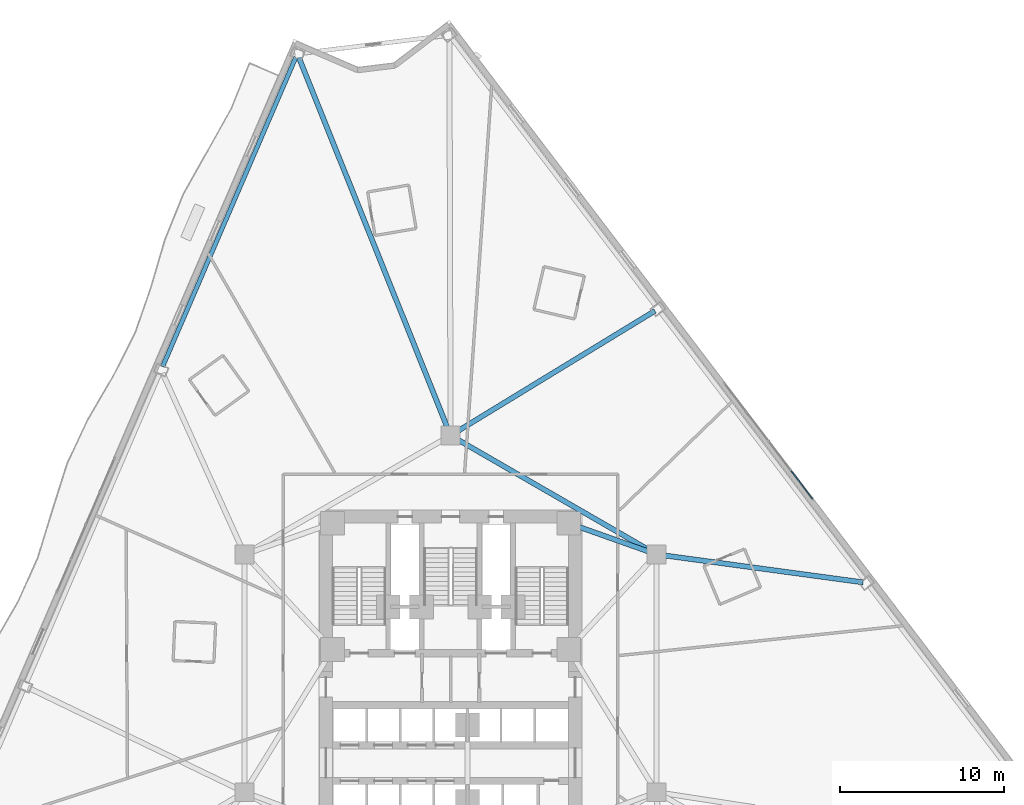
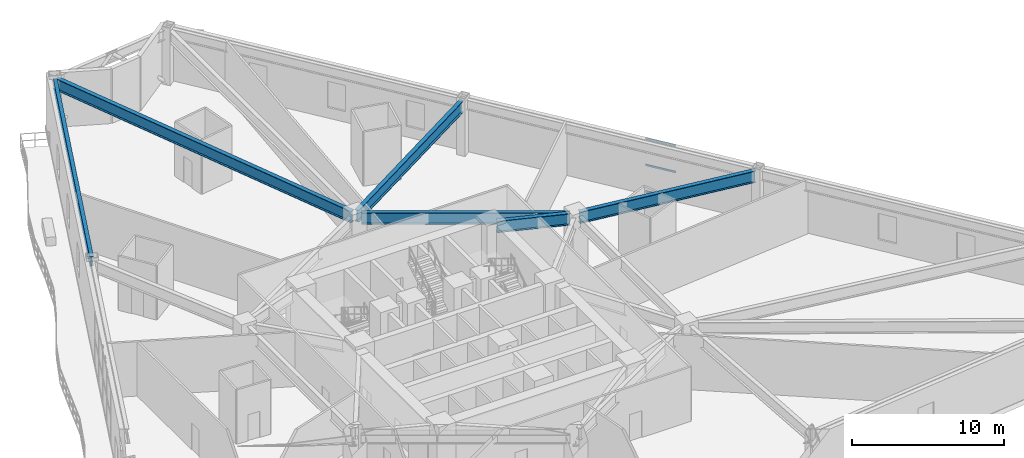
# One storey, part 5 of 21: 6 beams, 3 members, 1 element without a shape of its own.
"""IFC4 building model written with IfcOpenShell, lengths in metres."""

from ifc_helpers import new_model, si_unit, direction, frame, origin, origin_2d, place, context, subcontext, project, spatial, rectangle, i_section, extrude, material, layer, layer_set, material_profile, profile_set, type_object, element, aggregate, save


model = new_model("IFC4")

# Units and contexts
model_context = context("Model", 3, precision=1e-05, world=origin(), true_north=direction((0.0, 1.0)))
body_context = subcontext(model_context, "Body", "Model", "MODEL_VIEW")
ifc_project = project(units=[si_unit("LENGTHUNIT", "METRE"), si_unit("AREAUNIT", "SQUARE_METRE"), si_unit("VOLUMEUNIT", "CUBIC_METRE"), si_unit("PLANEANGLEUNIT", "RADIAN"), si_unit("MASSUNIT", "GRAM", prefix="KILO")], contexts=[model_context])

# Site, building, storey
site_placement = place(None, origin())
site = spatial("IfcSite", under=ifc_project, at=site_placement, CompositionType="ELEMENT")
building_placement = place(site_placement, origin())
building = spatial("IfcBuilding", under=site, at=building_placement, Name="Apsidion Concourse Tower", CompositionType="ELEMENT")
storey_placement = place(building_placement, frame((0.0, 0.0, 62.39990234375)))
storey = spatial("IfcBuildingStorey", under=building, at=storey_placement, Name="L13", CompositionType="ELEMENT", Elevation=62.39990234375)

# Beams
ifc_material_1 = material(Name="Structural steel ASTM A992 Grade 50", Category="steel")
ifc_material_profile_1 = material_profile(ifc_material_1, i_section(OverallWidth=0.31005859375, OverallDepth=0.931884765625, WebThickness=0.02099609375, FlangeThickness=0.034423828125, at=origin_2d()), Name="W36X210")
ifc_profile_set_1 = profile_set([ifc_material_profile_1], Name="Structural steel ASTM A992 Grade 50")
beam_type_1 = type_object("IfcBeamType", Name="BM-G-W36", PredefinedType="USERDEFINED", material=ifc_profile_set_1)
beam_1_placement = place(storey_placement, frame((12.18310546875, 7.383544921875, 3.884033203125), z_axis=(-0.942533844539, 0.334110688094, 0.0), x_axis=(-0.334110688094, -0.942533844539, 0.0)))
element("IfcBeam", 1, at=beam_1_placement, inside=storey, type_object=beam_type_1, Name="L13 Core Coupling Girder IC3-SC4", ObjectType="GIRDER", PredefinedType="USERDEFINED", context=body_context, shape_type="SweptSolid", body=[
    extrude(i_section(OverallWidth=0.31005859375, OverallDepth=0.931884765625, WebThickness=0.02099609375, FlangeThickness=0.034423828125, at=origin_2d()), origin(), (0.0, 0.0, 1.0), 4.886962890625),
])
beam_2_placement = place(storey_placement, frame((0.346435546875, 14.300048828125, 3.884033203125), z_axis=(0.866070471464, -0.499921932364, 0.0), x_axis=(0.499921932364, 0.866070471464, 0.0)))
element("IfcBeam", 2, at=beam_2_placement, inside=storey, type_object=beam_type_1, Name="L13 Core Coupling Girder IC4-IC3", ObjectType="GIRDER", PredefinedType="USERDEFINED", context=body_context, shape_type="SweptSolid", body=[
    extrude(i_section(OverallWidth=0.31005859375, OverallDepth=0.931884765625, WebThickness=0.02099609375, FlangeThickness=0.034423828125, at=origin_2d()), origin(), (0.0, 0.0, 1.0), 13.702392578125),
])
beam_3_placement = place(storey_placement, frame((-0.08203125, 14.7041015625, 3.884033203125), z_axis=(-0.372538285094, 0.928016824276, 0.0), x_axis=(-0.928016824276, -0.372538285094, 0.0)))
element("IfcBeam", 3, at=beam_3_placement, inside=storey, type_object=beam_type_1, Name="L13 Radial Floor Girder RAD-01", ObjectType="GIRDER", PredefinedType="USERDEFINED", context=body_context, shape_type="SweptSolid", body=[
    extrude(i_section(OverallWidth=0.31005859375, OverallDepth=0.931884765625, WebThickness=0.02099609375, FlangeThickness=0.034423828125, at=origin_2d()), origin(), (0.0, 0.0, 1.0), 24.642333984375),
])
beam_4_placement = place(storey_placement, frame((12.778076171875, 7.220458984375, 3.884033203125), z_axis=(0.990945318587, -0.134266062618, 0.0), x_axis=(0.134266062618, 0.990945318587, 0.0)))
element("IfcBeam", 4, at=beam_4_placement, inside=storey, type_object=beam_type_1, Name="L13 Radial Floor Girder RAD-10", ObjectType="GIRDER", PredefinedType="USERDEFINED", context=body_context, shape_type="SweptSolid", body=[
    extrude(i_section(OverallWidth=0.31005859375, OverallDepth=0.931884765625, WebThickness=0.02099609375, FlangeThickness=0.034423828125, at=origin_2d()), origin(), (0.0, 0.0, 1.0), 12.48828125),
])
beam_5_placement = place(storey_placement, frame((0.187744140625, 14.614501953125, 3.884033203125), z_axis=(0.853749961822, 0.520683207611, 0.0), x_axis=(-0.520683207611, 0.853749961822, 0.0)))
element("IfcBeam", 5, at=beam_5_placement, inside=storey, type_object=beam_type_1, Name="L13 Radial Floor Girder RAD-11", ObjectType="GIRDER", PredefinedType="USERDEFINED", context=body_context, shape_type="SweptSolid", body=[
    extrude(i_section(OverallWidth=0.31005859375, OverallDepth=0.931884765625, WebThickness=0.02099609375, FlangeThickness=0.034423828125, at=origin_2d()), origin(), (0.0, 0.0, 1.0), 14.37646484375),
])
ifc_material_profile_2 = material_profile(ifc_material_1, i_section(OverallWidth=0.26806640625, OverallDepth=0.77001953125, WebThickness=0.015625, FlangeThickness=0.025390625, at=origin_2d()), Name="W30X132")
ifc_profile_set_2 = profile_set([ifc_material_profile_2], Name="Structural steel ASTM A992 Grade 50")
beam_type_2 = type_object("IfcBeamType", Name="BM-SP-W30", PredefinedType="SPANDREL", material=ifc_profile_set_2)
beam_6_placement = place(storey_placement, frame((-9.431396484375, 37.57470703125, 3.965087890625), z_axis=(-0.395525708749, -0.918454905653, 0.0), x_axis=(0.918454905653, -0.395525708749, 0.0)))
element("IfcBeam", 6, at=beam_6_placement, inside=storey, type_object=beam_type_2, Name="L13 Perimeter Spandrel Girder SP-01", PredefinedType="SPANDREL", context=body_context, shape_type="SweptSolid", body=[
    extrude(i_section(OverallWidth=0.26806640625, OverallDepth=0.77001953125, WebThickness=0.015625, FlangeThickness=0.025390625, at=origin_2d()), origin(), (0.0, 0.0, 1.0), 20.553955078125),
])

# Curtain wall, members
ifc_material_2 = material(Name="Insulated laminated low-E glass", Category="glass")
ifc_layer = layer(ifc_material_2, 0.2099609375)
ifc_layer_set = layer_set([ifc_layer], Name="Insulated laminated low-E glass")
curtain_wall_type = type_object("IfcCurtainWallType", Name="CW-SYS-03", PredefinedType="NOTDEFINED", material=ifc_layer_set)
curtain_wall_placement = place(storey_placement, origin())
curtain_wall = element("IfcCurtainWall", 7, at=curtain_wall_placement, inside=storey, type_object=curtain_wall_type, Name="L13 Sky Lobby Curtain Wall 1", PredefinedType="NOTDEFINED")
ifc_material_3 = material(Name="Anodised aluminium EN AW-6063 T6", Category="aluminium")
ifc_material_profile_3 = material_profile(ifc_material_3, rectangle(XDim=0.06494140625, YDim=0.139892578125, at=origin_2d()), Name="ALU TRANSOM 65x140")
ifc_profile_set_3 = profile_set([ifc_material_profile_3], Name="Anodised aluminium EN AW-6063 T6")
member_type = type_object("IfcMemberType", Name="CWT-65X140", PredefinedType="USERDEFINED", material=ifc_profile_set_3)
member_1_placement = place(storey_placement, frame((20.77197265625, 12.343505859375, 0.03271484375), z_axis=(0.605957466071, -0.795497045445, 0.0), x_axis=(0.795497045445, 0.605957466071, 0.0)))
member_1 = element("IfcMember", 8, at=member_1_placement, type_object=member_type, Name="CW-03 transom 4.1", ObjectType="TRANSOM", PredefinedType="USERDEFINED", context=body_context, shape_type="SweptSolid", body=[
    extrude(rectangle(XDim=0.06494140625, YDim=0.139892578125, at=origin_2d()), origin(), (0.0, 0.0, 1.0), 2.14453125),
])
member_2_placement = place(storey_placement, frame((20.77197265625, 12.343505859375, 2.150146484375), z_axis=(0.605957466071, -0.795497045445, 0.0), x_axis=(0.795497045445, 0.605957466071, 0.0)))
member_2 = element("IfcMember", 9, at=member_2_placement, type_object=member_type, Name="CW-03 transom 4.2", ObjectType="TRANSOM", PredefinedType="USERDEFINED", context=body_context, shape_type="SweptSolid", body=[
    extrude(rectangle(XDim=0.06494140625, YDim=0.139892578125, at=origin_2d()), origin(), (0.0, 0.0, 1.0), 2.14453125),
])
member_3_placement = place(storey_placement, frame((20.77197265625, 12.343505859375, 4.267578125), z_axis=(0.605957466071, -0.795497045445, 0.0), x_axis=(0.795497045445, 0.605957466071, 0.0)))
member_3 = element("IfcMember", 10, at=member_3_placement, type_object=member_type, Name="CW-03 transom 4.3", ObjectType="TRANSOM", PredefinedType="USERDEFINED", context=body_context, shape_type="SweptSolid", body=[
    extrude(rectangle(XDim=0.06494140625, YDim=0.139892578125, at=origin_2d()), origin(), (0.0, 0.0, 1.0), 2.14453125),
])
aggregate(curtain_wall, [member_1, member_2, member_3])

save(model, "model.ifc")
